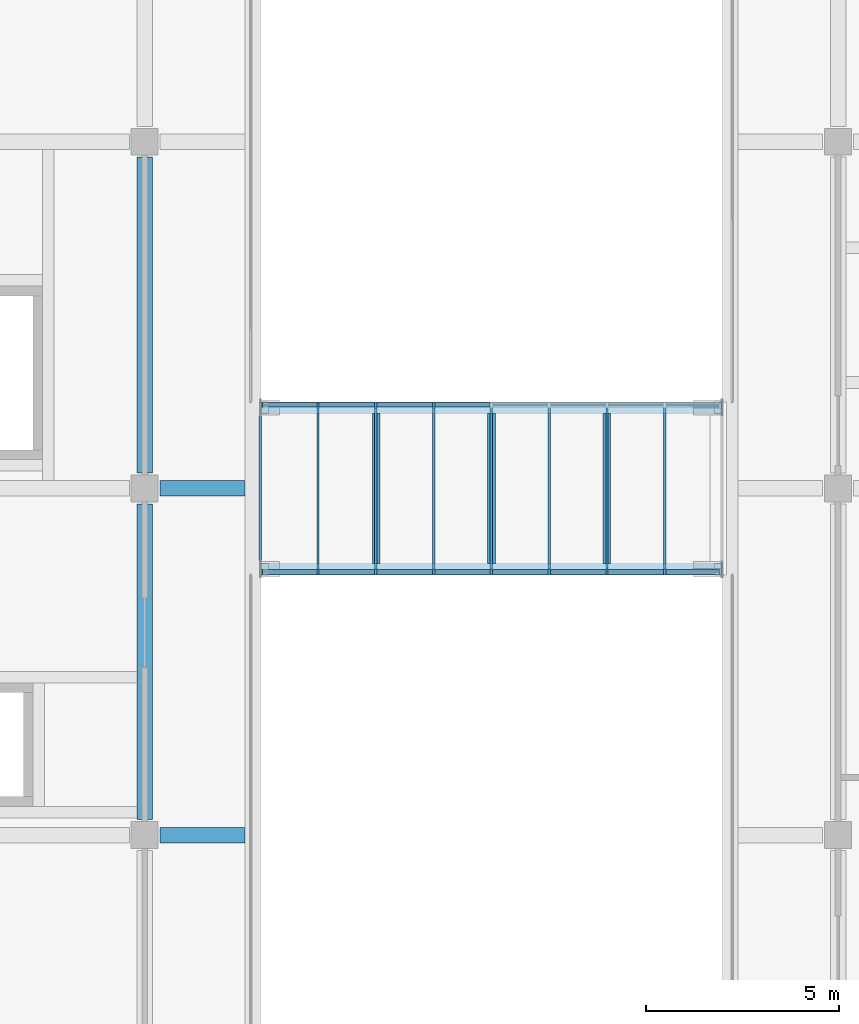
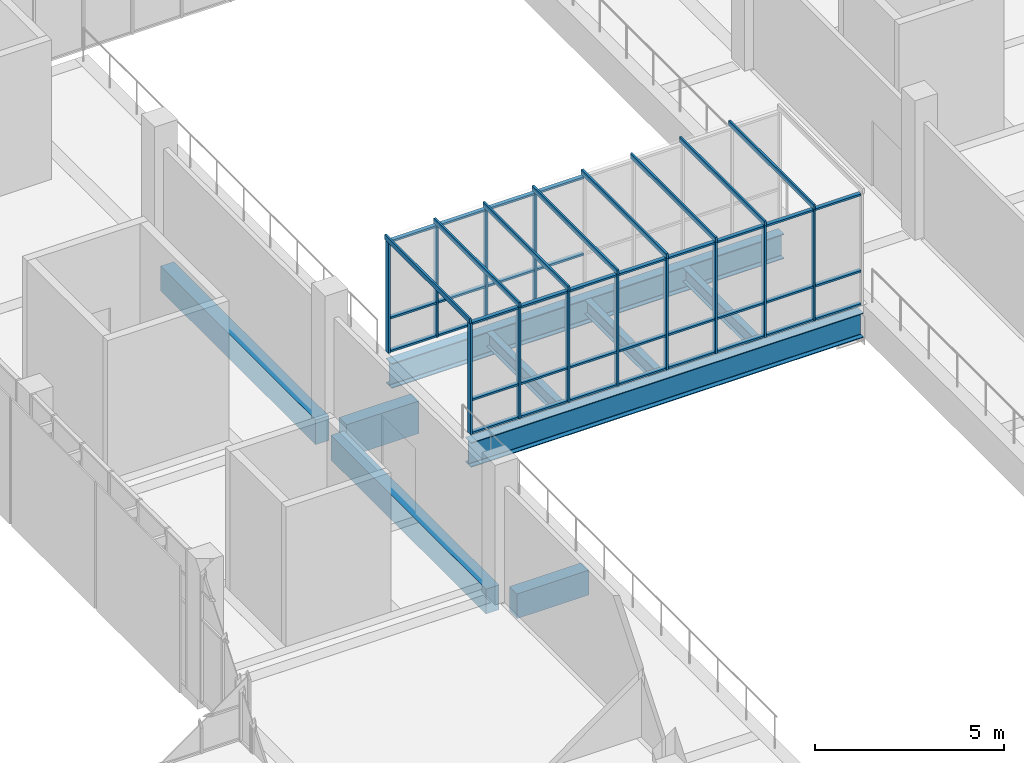
# One storey, part 21 of 106: 56 members, 9 beams, 3 elements without a shape of their own.
"""IFC4 building model written with IfcOpenShell, lengths in metres."""

from ifc_helpers import new_model, si_unit, direction, frame, origin, origin_2d, place, context, subcontext, project, spatial, rectangle, i_section, extrude, material, layer, layer_set, material_profile, profile_set, type_object, element, aggregate, save


model = new_model("IFC4")

# Units and contexts
model_context = context("Model", 3, precision=1e-05, world=origin(), true_north=direction((0.0, 1.0)))
body_context = subcontext(model_context, "Body", "Model", "MODEL_VIEW")
ifc_project = project(units=[si_unit("LENGTHUNIT", "METRE"), si_unit("AREAUNIT", "SQUARE_METRE"), si_unit("VOLUMEUNIT", "CUBIC_METRE"), si_unit("PLANEANGLEUNIT", "RADIAN"), si_unit("MASSUNIT", "GRAM", prefix="KILO")], contexts=[model_context])

# Site, building, storey
site_placement = place(None, origin())
site = spatial("IfcSite", under=ifc_project, at=site_placement, CompositionType="ELEMENT")
building_placement = place(site_placement, origin())
building = spatial("IfcBuilding", under=site, at=building_placement, Name="Guidao Yard Department Store", CompositionType="ELEMENT")
storey_placement = place(building_placement, frame((0.0, 0.0, 10.5)))
storey = spatial("IfcBuildingStorey", under=building, at=storey_placement, Name="L02", CompositionType="ELEMENT", Elevation=10.5)

# Beams
ifc_material_1 = material(Name="Concrete C40", Category="concrete")
ifc_material_profile_1 = material_profile(ifc_material_1, rectangle(XDim=0.39990234375, YDim=1.050048828125, at=origin_2d()), Name="Bridge landing beam 400 x 1050 C40")
ifc_profile_set_1 = profile_set([ifc_material_profile_1], Name="Concrete C40")
beam_type_1 = type_object("IfcBeamType", Name="Bridge landing beam 400 x 1050 C40", PredefinedType="BEAM", material=ifc_profile_set_1)
beam_1_placement = place(storey_placement, frame((81.39990234375, 90.0, -0.52490234375), z_axis=(1.0, 0.0, 0.0), x_axis=(0.0, 1.0, 0.0)))
element("IfcBeam", 1, at=beam_1_placement, inside=storey, type_object=beam_type_1, Name="Beam LB06", PredefinedType="BEAM", context=body_context, shape_type="SweptSolid", body=[
    extrude(rectangle(XDim=0.39990234375, YDim=1.050048828125, at=origin_2d()), origin(), (0.0, 0.0, 1.0), 2.2001953125),
])
ifc_material_2 = material(Name="Concrete C40", Category="concrete")
ifc_material_profile_2 = material_profile(ifc_material_2, rectangle(XDim=0.39990234375, YDim=0.800048828125, at=origin_2d()), Name="Edge beam 400 x 800 C40")
ifc_profile_set_2 = profile_set([ifc_material_profile_2], Name="Concrete C40")
beam_type_2 = type_object("IfcBeamType", Name="Edge beam 400 x 800 C40", PredefinedType="BEAM", material=ifc_profile_set_2)
for number, where, z_axis, x_axis, name in (
    (2, (81.0, 81.39990234375, -0.39990234375), (0.0, 1.0, 0.0), (-1.0, 0.0, 0.0), "Beam EB36"),
    (3, (81.0, 90.39990234375, -0.39990234375), (0.0, 1.0, 0.0), (-1.0, 0.0, 0.0), "Beam EB37"),
):
    element("IfcBeam", number, at=place(storey_placement, frame(where, z_axis=z_axis, x_axis=x_axis)), inside=storey, type_object=beam_type_2, Name=name, PredefinedType="BEAM", context=body_context, shape_type="SweptSolid", body=[
        extrude(rectangle(XDim=0.39990234375, YDim=0.800048828125, at=origin_2d()), origin(), (0.0, 0.0, 1.0), 8.2001953125),
    ])
beam_2_placement = place(storey_placement, frame((81.39990234375, 81.0, -0.39990234375), z_axis=(1.0, 0.0, 0.0), x_axis=(0.0, 1.0, 0.0)))
element("IfcBeam", 4, at=beam_2_placement, inside=storey, type_object=beam_type_2, Name="Beam EB42", PredefinedType="BEAM", context=body_context, shape_type="SweptSolid", body=[
    extrude(rectangle(XDim=0.39990234375, YDim=0.800048828125, at=origin_2d()), origin(), (0.0, 0.0, 1.0), 2.2001953125),
])
ifc_material_3 = material(Name="Steel Q355B", Category="steel")
ifc_material_profile_3 = material_profile(ifc_material_3, i_section(OverallWidth=0.199951171875, OverallDepth=0.449951171875, WebThickness=0.009033203125, FlangeThickness=0.013916015625, FilletRadius=0.012939453125, at=origin_2d()), Name="HN 450x200x9x14")
ifc_profile_set_3 = profile_set([ifc_material_profile_3], Name="Steel Q355B")
beam_type_3 = type_object("IfcBeamType", Name="HN 450x200x9x14", PredefinedType="BEAM", material=ifc_profile_set_3)
for number, where, z_axis, x_axis, name in (
    (5, (87.007568359375, 88.050048828125, -0.47509765625), (0.0, 1.0, 0.0), (-1.0, 0.0, 0.0), "Bridge cross beam BR12-1"),
    (6, (90.0, 88.050048828125, -0.47509765625), (0.0, 1.0, 0.0), (-1.0, 0.0, 0.0), "Bridge cross beam BR12-2"),
    (7, (92.992431640625, 88.050048828125, -0.47509765625), (0.0, 1.0, 0.0), (-1.0, 0.0, 0.0), "Bridge cross beam BR12-3"),
):
    element("IfcBeam", number, at=place(storey_placement, frame(where, z_axis=z_axis, x_axis=x_axis)), inside=storey, type_object=beam_type_3, Name=name, PredefinedType="BEAM", context=body_context, shape_type="SweptSolid", body=[
        extrude(i_section(OverallWidth=0.199951171875, OverallDepth=0.449951171875, WebThickness=0.009033203125, FlangeThickness=0.013916015625, FilletRadius=0.012939453125, at=origin_2d()), origin(), (0.0, 0.0, 1.0), 3.89990234375),
    ])
ifc_material_4 = material(Name="Steel Q355B", Category="steel")
ifc_material_profile_4 = material_profile(ifc_material_4, i_section(OverallWidth=0.300048828125, OverallDepth=0.800048828125, WebThickness=0.013916015625, FlangeThickness=0.02587890625, FilletRadius=0.01806640625, at=origin_2d()), Name="HN 800x300x14x26")
ifc_profile_set_4 = profile_set([ifc_material_profile_4], Name="Steel Q355B")
beam_type_4 = type_object("IfcBeamType", Name="HN 800x300x14x26", PredefinedType="BEAM", material=ifc_profile_set_4)
for number, where, z_axis, x_axis, name in (
    (8, (84.014892578125, 87.89990234375, -0.64990234375), (1.0, 0.0, 0.0), (0.0, 1.0, 0.0), "Bridge girder BR12S"),
    (9, (84.014892578125, 92.10009765625, -0.64990234375), (1.0, 0.0, 0.0), (0.0, 1.0, 0.0), "Bridge girder BR12N"),
):
    element("IfcBeam", number, at=place(storey_placement, frame(where, z_axis=z_axis, x_axis=x_axis)), inside=storey, type_object=beam_type_4, Name=name, PredefinedType="BEAM", context=body_context, shape_type="SweptSolid", body=[
        extrude(i_section(OverallWidth=0.300048828125, OverallDepth=0.800048828125, WebThickness=0.013916015625, FlangeThickness=0.02587890625, FilletRadius=0.01806640625, at=origin_2d()), origin(), (0.0, 0.0, 1.0), 11.97021484375),
    ])

# Curtain wall, members
ifc_material_5 = material(Name="Aluminium and glass", Category="aluminium")
ifc_layer = layer(ifc_material_5, 0.159912109375)
ifc_layer_set = layer_set([ifc_layer], Name="Bridge glazing CW5 1500 module")
curtain_wall_type = type_object("IfcCurtainWallType", Name="Bridge glazing CW5 1500 module", PredefinedType="NOTDEFINED", material=ifc_layer_set)
curtain_wall_1_placement = place(storey_placement, origin())
curtain_wall_1 = element("IfcCurtainWall", 10, at=curtain_wall_1_placement, inside=storey, type_object=curtain_wall_type, Name="Bridge glazing BR12 S", PredefinedType="NOTDEFINED")
ifc_material_6 = material(Name="Aluminium 6063-T5", Category="aluminium")
ifc_material_profile_5 = material_profile(ifc_material_6, rectangle(XDim=0.06005859375, YDim=0.159912109375, at=origin_2d()), Name="Mullion M1 60 x 160 aluminium pressure plate")
ifc_profile_set_5 = profile_set([ifc_material_profile_5], Name="Aluminium 6063-T5")
member_type_1 = type_object("IfcMemberType", Name="Mullion M1 60 x 160 aluminium pressure plate", PredefinedType="MULLION", material=ifc_profile_set_5)
member_1_placement = place(storey_placement, frame((84.030029296875, 87.830078125, 0.0), z_axis=(0.0, 0.0, 1.0), x_axis=(-1.0, 0.0, 0.0)))
member_1 = element("IfcMember", 11, at=member_1_placement, type_object=member_type_1, Name="CW-S-L02-10 mullion 1", PredefinedType="MULLION", context=body_context, shape_type="SweptSolid", body=[
    extrude(rectangle(XDim=0.06005859375, YDim=0.159912109375, at=origin_2d()), origin(), (0.0, 0.0, 1.0), 3.60009765625),
])
member_2_placement = place(storey_placement, frame((85.5, 87.830078125, 0.0), z_axis=(0.0, 0.0, 1.0), x_axis=(-1.0, 0.0, 0.0)))
member_2 = element("IfcMember", 12, at=member_2_placement, type_object=member_type_1, Name="CW-S-L02-10 mullion 2", PredefinedType="MULLION", context=body_context, shape_type="SweptSolid", body=[
    extrude(rectangle(XDim=0.06005859375, YDim=0.159912109375, at=origin_2d()), origin(), (0.0, 0.0, 1.0), 3.60009765625),
])
member_3_placement = place(storey_placement, frame((87.0, 87.830078125, 0.0), z_axis=(0.0, 0.0, 1.0), x_axis=(-1.0, 0.0, 0.0)))
member_3 = element("IfcMember", 13, at=member_3_placement, type_object=member_type_1, Name="CW-S-L02-10 mullion 3", PredefinedType="MULLION", context=body_context, shape_type="SweptSolid", body=[
    extrude(rectangle(XDim=0.06005859375, YDim=0.159912109375, at=origin_2d()), origin(), (0.0, 0.0, 1.0), 3.60009765625),
])
member_4_placement = place(storey_placement, frame((88.5, 87.830078125, 0.0), z_axis=(0.0, 0.0, 1.0), x_axis=(-1.0, 0.0, 0.0)))
member_4 = element("IfcMember", 14, at=member_4_placement, type_object=member_type_1, Name="CW-S-L02-10 mullion 4", PredefinedType="MULLION", context=body_context, shape_type="SweptSolid", body=[
    extrude(rectangle(XDim=0.06005859375, YDim=0.159912109375, at=origin_2d()), origin(), (0.0, 0.0, 1.0), 3.60009765625),
])
member_5_placement = place(storey_placement, frame((90.0, 87.830078125, 0.0), z_axis=(0.0, 0.0, 1.0), x_axis=(-1.0, 0.0, 0.0)))
member_5 = element("IfcMember", 15, at=member_5_placement, type_object=member_type_1, Name="CW-S-L02-10 mullion 5", PredefinedType="MULLION", context=body_context, shape_type="SweptSolid", body=[
    extrude(rectangle(XDim=0.06005859375, YDim=0.159912109375, at=origin_2d()), origin(), (0.0, 0.0, 1.0), 3.60009765625),
])
member_6_placement = place(storey_placement, frame((91.5, 87.830078125, 0.0), z_axis=(0.0, 0.0, 1.0), x_axis=(-1.0, 0.0, 0.0)))
member_6 = element("IfcMember", 16, at=member_6_placement, type_object=member_type_1, Name="CW-S-L02-10 mullion 6", PredefinedType="MULLION", context=body_context, shape_type="SweptSolid", body=[
    extrude(rectangle(XDim=0.06005859375, YDim=0.159912109375, at=origin_2d()), origin(), (0.0, 0.0, 1.0), 3.60009765625),
])
member_7_placement = place(storey_placement, frame((93.0, 87.830078125, 0.0), z_axis=(0.0, 0.0, 1.0), x_axis=(-1.0, 0.0, 0.0)))
member_7 = element("IfcMember", 17, at=member_7_placement, type_object=member_type_1, Name="CW-S-L02-10 mullion 7", PredefinedType="MULLION", context=body_context, shape_type="SweptSolid", body=[
    extrude(rectangle(XDim=0.06005859375, YDim=0.159912109375, at=origin_2d()), origin(), (0.0, 0.0, 1.0), 3.60009765625),
])
member_8_placement = place(storey_placement, frame((94.5, 87.830078125, 0.0), z_axis=(0.0, 0.0, 1.0), x_axis=(-1.0, 0.0, 0.0)))
member_8 = element("IfcMember", 18, at=member_8_placement, type_object=member_type_1, Name="CW-S-L02-10 mullion 8", PredefinedType="MULLION", context=body_context, shape_type="SweptSolid", body=[
    extrude(rectangle(XDim=0.06005859375, YDim=0.159912109375, at=origin_2d()), origin(), (0.0, 0.0, 1.0), 3.60009765625),
])

curtain_wall_2_placement = place(storey_placement, origin())
curtain_wall_2 = element("IfcCurtainWall", 19, at=curtain_wall_2_placement, inside=storey, type_object=curtain_wall_type, Name="Bridge glazing BR12 N", PredefinedType="NOTDEFINED")
member_9_placement = place(storey_placement, frame((84.030029296875, 92.169921875, 0.0), z_axis=(0.0, 0.0, 1.0), x_axis=(1.0, 0.0, 0.0)))
member_9 = element("IfcMember", 20, at=member_9_placement, type_object=member_type_1, Name="CW-N-L02-11 mullion 1", PredefinedType="MULLION", context=body_context, shape_type="SweptSolid", body=[
    extrude(rectangle(XDim=0.06005859375, YDim=0.159912109375, at=origin_2d()), origin(), (0.0, 0.0, 1.0), 3.60009765625),
])
member_10_placement = place(storey_placement, frame((85.5, 92.169921875, 0.0), z_axis=(0.0, 0.0, 1.0), x_axis=(1.0, 0.0, 0.0)))
member_10 = element("IfcMember", 21, at=member_10_placement, type_object=member_type_1, Name="CW-N-L02-11 mullion 2", PredefinedType="MULLION", context=body_context, shape_type="SweptSolid", body=[
    extrude(rectangle(XDim=0.06005859375, YDim=0.159912109375, at=origin_2d()), origin(), (0.0, 0.0, 1.0), 3.60009765625),
])
member_11_placement = place(storey_placement, frame((87.0, 92.169921875, 0.0), z_axis=(0.0, 0.0, 1.0), x_axis=(1.0, 0.0, 0.0)))
member_11 = element("IfcMember", 22, at=member_11_placement, type_object=member_type_1, Name="CW-N-L02-11 mullion 3", PredefinedType="MULLION", context=body_context, shape_type="SweptSolid", body=[
    extrude(rectangle(XDim=0.06005859375, YDim=0.159912109375, at=origin_2d()), origin(), (0.0, 0.0, 1.0), 3.60009765625),
])
member_12_placement = place(storey_placement, frame((88.5, 92.169921875, 0.0), z_axis=(0.0, 0.0, 1.0), x_axis=(1.0, 0.0, 0.0)))
member_12 = element("IfcMember", 23, at=member_12_placement, type_object=member_type_1, Name="CW-N-L02-11 mullion 4", PredefinedType="MULLION", context=body_context, shape_type="SweptSolid", body=[
    extrude(rectangle(XDim=0.06005859375, YDim=0.159912109375, at=origin_2d()), origin(), (0.0, 0.0, 1.0), 3.60009765625),
])

curtain_wall_3_placement = place(storey_placement, origin())
curtain_wall_3 = element("IfcCurtainWall", 24, at=curtain_wall_3_placement, inside=storey, type_object=curtain_wall_type, Name="Bridge roof glazing BR12", PredefinedType="NOTDEFINED")
ifc_material_7 = material(Name="Aluminium 6063-T5", Category="aluminium")
ifc_material_profile_6 = material_profile(ifc_material_7, rectangle(XDim=0.06005859375, YDim=0.159912109375, at=origin_2d()), Name="Roof bar RB1 60 x 160 aluminium")
ifc_profile_set_6 = profile_set([ifc_material_profile_6], Name="Aluminium 6063-T5")
member_type_2 = type_object("IfcMemberType", Name="Roof bar RB1 60 x 160 aluminium", PredefinedType="USERDEFINED", material=ifc_profile_set_6)
member_13_placement = place(storey_placement, frame((84.0, 87.75, 3.679931640625), z_axis=(0.0, 1.0, 0.0), x_axis=(-1.0, 0.0, 0.0)))
member_13 = element("IfcMember", 25, at=member_13_placement, type_object=member_type_2, Name="Bridge roof bar BR12", ObjectType="TRANSOM", PredefinedType="USERDEFINED", context=body_context, shape_type="SweptSolid", body=[
    extrude(rectangle(XDim=0.06005859375, YDim=0.159912109375, at=origin_2d()), origin(), (0.0, 0.0, 1.0), 4.5),
])
member_14_placement = place(storey_placement, frame((85.5, 87.75, 3.679931640625), z_axis=(0.0, 1.0, 0.0), x_axis=(-1.0, 0.0, 0.0)))
member_14 = element("IfcMember", 26, at=member_14_placement, type_object=member_type_2, Name="Bridge roof bar BR12", ObjectType="TRANSOM", PredefinedType="USERDEFINED", context=body_context, shape_type="SweptSolid", body=[
    extrude(rectangle(XDim=0.06005859375, YDim=0.159912109375, at=origin_2d()), origin(), (0.0, 0.0, 1.0), 4.5),
])
member_15_placement = place(storey_placement, frame((87.0, 87.75, 3.679931640625), z_axis=(0.0, 1.0, 0.0), x_axis=(-1.0, 0.0, 0.0)))
member_15 = element("IfcMember", 27, at=member_15_placement, type_object=member_type_2, Name="Bridge roof bar BR12", ObjectType="TRANSOM", PredefinedType="USERDEFINED", context=body_context, shape_type="SweptSolid", body=[
    extrude(rectangle(XDim=0.06005859375, YDim=0.159912109375, at=origin_2d()), origin(), (0.0, 0.0, 1.0), 4.5),
])
member_16_placement = place(storey_placement, frame((88.5, 87.75, 3.679931640625), z_axis=(0.0, 1.0, 0.0), x_axis=(-1.0, 0.0, 0.0)))
member_16 = element("IfcMember", 28, at=member_16_placement, type_object=member_type_2, Name="Bridge roof bar BR12", ObjectType="TRANSOM", PredefinedType="USERDEFINED", context=body_context, shape_type="SweptSolid", body=[
    extrude(rectangle(XDim=0.06005859375, YDim=0.159912109375, at=origin_2d()), origin(), (0.0, 0.0, 1.0), 4.5),
])
member_17_placement = place(storey_placement, frame((90.0, 87.75, 3.679931640625), z_axis=(0.0, 1.0, 0.0), x_axis=(-1.0, 0.0, 0.0)))
member_17 = element("IfcMember", 29, at=member_17_placement, type_object=member_type_2, Name="Bridge roof bar BR12", ObjectType="TRANSOM", PredefinedType="USERDEFINED", context=body_context, shape_type="SweptSolid", body=[
    extrude(rectangle(XDim=0.06005859375, YDim=0.159912109375, at=origin_2d()), origin(), (0.0, 0.0, 1.0), 4.5),
])
member_18_placement = place(storey_placement, frame((91.5, 87.75, 3.679931640625), z_axis=(0.0, 1.0, 0.0), x_axis=(-1.0, 0.0, 0.0)))
member_18 = element("IfcMember", 30, at=member_18_placement, type_object=member_type_2, Name="Bridge roof bar BR12", ObjectType="TRANSOM", PredefinedType="USERDEFINED", context=body_context, shape_type="SweptSolid", body=[
    extrude(rectangle(XDim=0.06005859375, YDim=0.159912109375, at=origin_2d()), origin(), (0.0, 0.0, 1.0), 4.5),
])
member_19_placement = place(storey_placement, frame((93.0, 87.75, 3.679931640625), z_axis=(0.0, 1.0, 0.0), x_axis=(-1.0, 0.0, 0.0)))
member_19 = element("IfcMember", 31, at=member_19_placement, type_object=member_type_2, Name="Bridge roof bar BR12", ObjectType="TRANSOM", PredefinedType="USERDEFINED", context=body_context, shape_type="SweptSolid", body=[
    extrude(rectangle(XDim=0.06005859375, YDim=0.159912109375, at=origin_2d()), origin(), (0.0, 0.0, 1.0), 4.5),
])
member_20_placement = place(storey_placement, frame((94.5, 87.75, 3.679931640625), z_axis=(0.0, 1.0, 0.0), x_axis=(-1.0, 0.0, 0.0)))
member_20 = element("IfcMember", 32, at=member_20_placement, type_object=member_type_2, Name="Bridge roof bar BR12", ObjectType="TRANSOM", PredefinedType="USERDEFINED", context=body_context, shape_type="SweptSolid", body=[
    extrude(rectangle(XDim=0.06005859375, YDim=0.159912109375, at=origin_2d()), origin(), (0.0, 0.0, 1.0), 4.5),
])
aggregate(curtain_wall_3, [member_13, member_14, member_15, member_16, member_17, member_18, member_19, member_20])

# Member
ifc_material_8 = material(Name="Aluminium 6063-T5", Category="aluminium")
ifc_material_profile_7 = material_profile(ifc_material_8, rectangle(XDim=0.1201171875, YDim=0.06005859375, at=origin_2d()), Name="Transom T1 60 x 120 aluminium pressure plate")
ifc_profile_set_7 = profile_set([ifc_material_profile_7], Name="Aluminium 6063-T5")
member_type_3 = type_object("IfcMemberType", Name="Transom T1 60 x 120 aluminium pressure plate", PredefinedType="USERDEFINED", material=ifc_profile_set_7)
member_21_placement = place(storey_placement, frame((85.469970703125, 87.830078125, 0.030029296875), z_axis=(-1.0, 0.0, 0.0), x_axis=(0.0, -1.0, 0.0)))
member_21 = element("IfcMember", 33, at=member_21_placement, type_object=member_type_3, Name="CW-S-L02-10 transom 1.1", ObjectType="TRANSOM", PredefinedType="USERDEFINED", context=body_context, shape_type="SweptSolid", body=[
    extrude(rectangle(XDim=0.1201171875, YDim=0.06005859375, at=origin_2d()), origin(), (0.0, 0.0, 1.0), 1.409912109375),
])

member_22_placement = place(storey_placement, frame((85.469970703125, 87.830078125, 1.10009765625), z_axis=(-1.0, 0.0, 0.0), x_axis=(0.0, -1.0, 0.0)))
member_22 = element("IfcMember", 34, at=member_22_placement, type_object=member_type_3, Name="CW-S-L02-10 transom 1.2", ObjectType="TRANSOM", PredefinedType="USERDEFINED", context=body_context, shape_type="SweptSolid", body=[
    extrude(rectangle(XDim=0.1201171875, YDim=0.06005859375, at=origin_2d()), origin(), (0.0, 0.0, 1.0), 1.409912109375),
])

member_23_placement = place(storey_placement, frame((85.469970703125, 87.830078125, 3.570068359375), z_axis=(-1.0, 0.0, 0.0), x_axis=(0.0, -1.0, 0.0)))
member_23 = element("IfcMember", 35, at=member_23_placement, type_object=member_type_3, Name="CW-S-L02-10 transom 1.3", ObjectType="TRANSOM", PredefinedType="USERDEFINED", context=body_context, shape_type="SweptSolid", body=[
    extrude(rectangle(XDim=0.1201171875, YDim=0.06005859375, at=origin_2d()), origin(), (0.0, 0.0, 1.0), 1.409912109375),
])

member_24_placement = place(storey_placement, frame((86.969970703125, 87.830078125, 0.030029296875), z_axis=(-1.0, 0.0, 0.0), x_axis=(0.0, -1.0, 0.0)))
member_24 = element("IfcMember", 36, at=member_24_placement, type_object=member_type_3, Name="CW-S-L02-10 transom 2.1", ObjectType="TRANSOM", PredefinedType="USERDEFINED", context=body_context, shape_type="SweptSolid", body=[
    extrude(rectangle(XDim=0.1201171875, YDim=0.06005859375, at=origin_2d()), origin(), (0.0, 0.0, 1.0), 1.43994140625),
])

member_25_placement = place(storey_placement, frame((86.969970703125, 87.830078125, 1.10009765625), z_axis=(-1.0, 0.0, 0.0), x_axis=(0.0, -1.0, 0.0)))
member_25 = element("IfcMember", 37, at=member_25_placement, type_object=member_type_3, Name="CW-S-L02-10 transom 2.2", ObjectType="TRANSOM", PredefinedType="USERDEFINED", context=body_context, shape_type="SweptSolid", body=[
    extrude(rectangle(XDim=0.1201171875, YDim=0.06005859375, at=origin_2d()), origin(), (0.0, 0.0, 1.0), 1.43994140625),
])

member_26_placement = place(storey_placement, frame((86.969970703125, 87.830078125, 3.570068359375), z_axis=(-1.0, 0.0, 0.0), x_axis=(0.0, -1.0, 0.0)))
member_26 = element("IfcMember", 38, at=member_26_placement, type_object=member_type_3, Name="CW-S-L02-10 transom 2.3", ObjectType="TRANSOM", PredefinedType="USERDEFINED", context=body_context, shape_type="SweptSolid", body=[
    extrude(rectangle(XDim=0.1201171875, YDim=0.06005859375, at=origin_2d()), origin(), (0.0, 0.0, 1.0), 1.43994140625),
])

member_27_placement = place(storey_placement, frame((88.469970703125, 87.830078125, 0.030029296875), z_axis=(-1.0, 0.0, 0.0), x_axis=(0.0, -1.0, 0.0)))
member_27 = element("IfcMember", 39, at=member_27_placement, type_object=member_type_3, Name="CW-S-L02-10 transom 3.1", ObjectType="TRANSOM", PredefinedType="USERDEFINED", context=body_context, shape_type="SweptSolid", body=[
    extrude(rectangle(XDim=0.1201171875, YDim=0.06005859375, at=origin_2d()), origin(), (0.0, 0.0, 1.0), 1.43994140625),
])

member_28_placement = place(storey_placement, frame((88.469970703125, 87.830078125, 1.10009765625), z_axis=(-1.0, 0.0, 0.0), x_axis=(0.0, -1.0, 0.0)))
member_28 = element("IfcMember", 40, at=member_28_placement, type_object=member_type_3, Name="CW-S-L02-10 transom 3.2", ObjectType="TRANSOM", PredefinedType="USERDEFINED", context=body_context, shape_type="SweptSolid", body=[
    extrude(rectangle(XDim=0.1201171875, YDim=0.06005859375, at=origin_2d()), origin(), (0.0, 0.0, 1.0), 1.43994140625),
])

member_29_placement = place(storey_placement, frame((88.469970703125, 87.830078125, 3.570068359375), z_axis=(-1.0, 0.0, 0.0), x_axis=(0.0, -1.0, 0.0)))
member_29 = element("IfcMember", 41, at=member_29_placement, type_object=member_type_3, Name="CW-S-L02-10 transom 3.3", ObjectType="TRANSOM", PredefinedType="USERDEFINED", context=body_context, shape_type="SweptSolid", body=[
    extrude(rectangle(XDim=0.1201171875, YDim=0.06005859375, at=origin_2d()), origin(), (0.0, 0.0, 1.0), 1.43994140625),
])

member_30_placement = place(storey_placement, frame((89.969970703125, 87.830078125, 0.030029296875), z_axis=(-1.0, 0.0, 0.0), x_axis=(0.0, -1.0, 0.0)))
member_30 = element("IfcMember", 42, at=member_30_placement, type_object=member_type_3, Name="CW-S-L02-10 transom 4.1", ObjectType="TRANSOM", PredefinedType="USERDEFINED", context=body_context, shape_type="SweptSolid", body=[
    extrude(rectangle(XDim=0.1201171875, YDim=0.06005859375, at=origin_2d()), origin(), (0.0, 0.0, 1.0), 1.43994140625),
])

member_31_placement = place(storey_placement, frame((89.969970703125, 87.830078125, 1.10009765625), z_axis=(-1.0, 0.0, 0.0), x_axis=(0.0, -1.0, 0.0)))
member_31 = element("IfcMember", 43, at=member_31_placement, type_object=member_type_3, Name="CW-S-L02-10 transom 4.2", ObjectType="TRANSOM", PredefinedType="USERDEFINED", context=body_context, shape_type="SweptSolid", body=[
    extrude(rectangle(XDim=0.1201171875, YDim=0.06005859375, at=origin_2d()), origin(), (0.0, 0.0, 1.0), 1.43994140625),
])

member_32_placement = place(storey_placement, frame((89.969970703125, 87.830078125, 3.570068359375), z_axis=(-1.0, 0.0, 0.0), x_axis=(0.0, -1.0, 0.0)))
member_32 = element("IfcMember", 44, at=member_32_placement, type_object=member_type_3, Name="CW-S-L02-10 transom 4.3", ObjectType="TRANSOM", PredefinedType="USERDEFINED", context=body_context, shape_type="SweptSolid", body=[
    extrude(rectangle(XDim=0.1201171875, YDim=0.06005859375, at=origin_2d()), origin(), (0.0, 0.0, 1.0), 1.43994140625),
])

member_33_placement = place(storey_placement, frame((91.469970703125, 87.830078125, 0.030029296875), z_axis=(-1.0, 0.0, 0.0), x_axis=(0.0, -1.0, 0.0)))
member_33 = element("IfcMember", 45, at=member_33_placement, type_object=member_type_3, Name="CW-S-L02-10 transom 5.1", ObjectType="TRANSOM", PredefinedType="USERDEFINED", context=body_context, shape_type="SweptSolid", body=[
    extrude(rectangle(XDim=0.1201171875, YDim=0.06005859375, at=origin_2d()), origin(), (0.0, 0.0, 1.0), 1.43994140625),
])

member_34_placement = place(storey_placement, frame((91.469970703125, 87.830078125, 1.10009765625), z_axis=(-1.0, 0.0, 0.0), x_axis=(0.0, -1.0, 0.0)))
member_34 = element("IfcMember", 46, at=member_34_placement, type_object=member_type_3, Name="CW-S-L02-10 transom 5.2", ObjectType="TRANSOM", PredefinedType="USERDEFINED", context=body_context, shape_type="SweptSolid", body=[
    extrude(rectangle(XDim=0.1201171875, YDim=0.06005859375, at=origin_2d()), origin(), (0.0, 0.0, 1.0), 1.43994140625),
])

member_35_placement = place(storey_placement, frame((91.469970703125, 87.830078125, 3.570068359375), z_axis=(-1.0, 0.0, 0.0), x_axis=(0.0, -1.0, 0.0)))
member_35 = element("IfcMember", 47, at=member_35_placement, type_object=member_type_3, Name="CW-S-L02-10 transom 5.3", ObjectType="TRANSOM", PredefinedType="USERDEFINED", context=body_context, shape_type="SweptSolid", body=[
    extrude(rectangle(XDim=0.1201171875, YDim=0.06005859375, at=origin_2d()), origin(), (0.0, 0.0, 1.0), 1.43994140625),
])

member_36_placement = place(storey_placement, frame((92.969970703125, 87.830078125, 0.030029296875), z_axis=(-1.0, 0.0, 0.0), x_axis=(0.0, -1.0, 0.0)))
member_36 = element("IfcMember", 48, at=member_36_placement, type_object=member_type_3, Name="CW-S-L02-10 transom 6.1", ObjectType="TRANSOM", PredefinedType="USERDEFINED", context=body_context, shape_type="SweptSolid", body=[
    extrude(rectangle(XDim=0.1201171875, YDim=0.06005859375, at=origin_2d()), origin(), (0.0, 0.0, 1.0), 1.43994140625),
])

member_37_placement = place(storey_placement, frame((92.969970703125, 87.830078125, 1.10009765625), z_axis=(-1.0, 0.0, 0.0), x_axis=(0.0, -1.0, 0.0)))
member_37 = element("IfcMember", 49, at=member_37_placement, type_object=member_type_3, Name="CW-S-L02-10 transom 6.2", ObjectType="TRANSOM", PredefinedType="USERDEFINED", context=body_context, shape_type="SweptSolid", body=[
    extrude(rectangle(XDim=0.1201171875, YDim=0.06005859375, at=origin_2d()), origin(), (0.0, 0.0, 1.0), 1.43994140625),
])

member_38_placement = place(storey_placement, frame((92.969970703125, 87.830078125, 3.570068359375), z_axis=(-1.0, 0.0, 0.0), x_axis=(0.0, -1.0, 0.0)))
member_38 = element("IfcMember", 50, at=member_38_placement, type_object=member_type_3, Name="CW-S-L02-10 transom 6.3", ObjectType="TRANSOM", PredefinedType="USERDEFINED", context=body_context, shape_type="SweptSolid", body=[
    extrude(rectangle(XDim=0.1201171875, YDim=0.06005859375, at=origin_2d()), origin(), (0.0, 0.0, 1.0), 1.43994140625),
])

member_39_placement = place(storey_placement, frame((94.469970703125, 87.830078125, 0.030029296875), z_axis=(-1.0, 0.0, 0.0), x_axis=(0.0, -1.0, 0.0)))
member_39 = element("IfcMember", 51, at=member_39_placement, type_object=member_type_3, Name="CW-S-L02-10 transom 7.1", ObjectType="TRANSOM", PredefinedType="USERDEFINED", context=body_context, shape_type="SweptSolid", body=[
    extrude(rectangle(XDim=0.1201171875, YDim=0.06005859375, at=origin_2d()), origin(), (0.0, 0.0, 1.0), 1.43994140625),
])

member_40_placement = place(storey_placement, frame((94.469970703125, 87.830078125, 1.10009765625), z_axis=(-1.0, 0.0, 0.0), x_axis=(0.0, -1.0, 0.0)))
member_40 = element("IfcMember", 52, at=member_40_placement, type_object=member_type_3, Name="CW-S-L02-10 transom 7.2", ObjectType="TRANSOM", PredefinedType="USERDEFINED", context=body_context, shape_type="SweptSolid", body=[
    extrude(rectangle(XDim=0.1201171875, YDim=0.06005859375, at=origin_2d()), origin(), (0.0, 0.0, 1.0), 1.43994140625),
])

member_41_placement = place(storey_placement, frame((94.469970703125, 87.830078125, 3.570068359375), z_axis=(-1.0, 0.0, 0.0), x_axis=(0.0, -1.0, 0.0)))
member_41 = element("IfcMember", 53, at=member_41_placement, type_object=member_type_3, Name="CW-S-L02-10 transom 7.3", ObjectType="TRANSOM", PredefinedType="USERDEFINED", context=body_context, shape_type="SweptSolid", body=[
    extrude(rectangle(XDim=0.1201171875, YDim=0.06005859375, at=origin_2d()), origin(), (0.0, 0.0, 1.0), 1.43994140625),
])

member_42_placement = place(storey_placement, frame((95.925048828125, 87.830078125, 0.030029296875), z_axis=(-1.0, 0.0, 0.0), x_axis=(0.0, -1.0, 0.0)))
member_42 = element("IfcMember", 54, at=member_42_placement, type_object=member_type_3, Name="CW-S-L02-10 transom 8.1", ObjectType="TRANSOM", PredefinedType="USERDEFINED", context=body_context, shape_type="SweptSolid", body=[
    extrude(rectangle(XDim=0.1201171875, YDim=0.06005859375, at=origin_2d()), origin(), (0.0, 0.0, 1.0), 1.39501953125),
])

member_43_placement = place(storey_placement, frame((95.925048828125, 87.830078125, 1.10009765625), z_axis=(-1.0, 0.0, 0.0), x_axis=(0.0, -1.0, 0.0)))
member_43 = element("IfcMember", 55, at=member_43_placement, type_object=member_type_3, Name="CW-S-L02-10 transom 8.2", ObjectType="TRANSOM", PredefinedType="USERDEFINED", context=body_context, shape_type="SweptSolid", body=[
    extrude(rectangle(XDim=0.1201171875, YDim=0.06005859375, at=origin_2d()), origin(), (0.0, 0.0, 1.0), 1.39501953125),
])

member_44_placement = place(storey_placement, frame((95.925048828125, 87.830078125, 3.570068359375), z_axis=(-1.0, 0.0, 0.0), x_axis=(0.0, -1.0, 0.0)))
member_44 = element("IfcMember", 56, at=member_44_placement, type_object=member_type_3, Name="CW-S-L02-10 transom 8.3", ObjectType="TRANSOM", PredefinedType="USERDEFINED", context=body_context, shape_type="SweptSolid", body=[
    extrude(rectangle(XDim=0.1201171875, YDim=0.06005859375, at=origin_2d()), origin(), (0.0, 0.0, 1.0), 1.39501953125),
])

aggregate(curtain_wall_1, [member_1, member_2, member_3, member_4, member_5, member_6, member_7, member_8, member_21, member_22, member_23, member_24, member_25, member_26, member_27, member_28, member_29, member_30, member_31, member_32, member_33, member_34, member_35, member_36, member_37, member_38, member_39, member_40, member_41, member_42, member_43, member_44])

member_45_placement = place(storey_placement, frame((84.06005859375, 92.169921875, 0.030029296875), z_axis=(1.0, 0.0, 0.0), x_axis=(0.0, 1.0, 0.0)))
member_45 = element("IfcMember", 57, at=member_45_placement, type_object=member_type_3, Name="CW-N-L02-11 transom 1.1", ObjectType="TRANSOM", PredefinedType="USERDEFINED", context=body_context, shape_type="SweptSolid", body=[
    extrude(rectangle(XDim=0.1201171875, YDim=0.06005859375, at=origin_2d()), origin(), (0.0, 0.0, 1.0), 1.409912109375),
])

member_46_placement = place(storey_placement, frame((84.06005859375, 92.169921875, 1.10009765625), z_axis=(1.0, 0.0, 0.0), x_axis=(0.0, 1.0, 0.0)))
member_46 = element("IfcMember", 58, at=member_46_placement, type_object=member_type_3, Name="CW-N-L02-11 transom 1.2", ObjectType="TRANSOM", PredefinedType="USERDEFINED", context=body_context, shape_type="SweptSolid", body=[
    extrude(rectangle(XDim=0.1201171875, YDim=0.06005859375, at=origin_2d()), origin(), (0.0, 0.0, 1.0), 1.409912109375),
])

member_47_placement = place(storey_placement, frame((84.06005859375, 92.169921875, 3.570068359375), z_axis=(1.0, 0.0, 0.0), x_axis=(0.0, 1.0, 0.0)))
member_47 = element("IfcMember", 59, at=member_47_placement, type_object=member_type_3, Name="CW-N-L02-11 transom 1.3", ObjectType="TRANSOM", PredefinedType="USERDEFINED", context=body_context, shape_type="SweptSolid", body=[
    extrude(rectangle(XDim=0.1201171875, YDim=0.06005859375, at=origin_2d()), origin(), (0.0, 0.0, 1.0), 1.409912109375),
])

member_48_placement = place(storey_placement, frame((85.530029296875, 92.169921875, 0.030029296875), z_axis=(1.0, 0.0, 0.0), x_axis=(0.0, 1.0, 0.0)))
member_48 = element("IfcMember", 60, at=member_48_placement, type_object=member_type_3, Name="CW-N-L02-11 transom 2.1", ObjectType="TRANSOM", PredefinedType="USERDEFINED", context=body_context, shape_type="SweptSolid", body=[
    extrude(rectangle(XDim=0.1201171875, YDim=0.06005859375, at=origin_2d()), origin(), (0.0, 0.0, 1.0), 1.43994140625),
])

member_49_placement = place(storey_placement, frame((85.530029296875, 92.169921875, 1.10009765625), z_axis=(1.0, 0.0, 0.0), x_axis=(0.0, 1.0, 0.0)))
member_49 = element("IfcMember", 61, at=member_49_placement, type_object=member_type_3, Name="CW-N-L02-11 transom 2.2", ObjectType="TRANSOM", PredefinedType="USERDEFINED", context=body_context, shape_type="SweptSolid", body=[
    extrude(rectangle(XDim=0.1201171875, YDim=0.06005859375, at=origin_2d()), origin(), (0.0, 0.0, 1.0), 1.43994140625),
])

member_50_placement = place(storey_placement, frame((85.530029296875, 92.169921875, 3.570068359375), z_axis=(1.0, 0.0, 0.0), x_axis=(0.0, 1.0, 0.0)))
member_50 = element("IfcMember", 62, at=member_50_placement, type_object=member_type_3, Name="CW-N-L02-11 transom 2.3", ObjectType="TRANSOM", PredefinedType="USERDEFINED", context=body_context, shape_type="SweptSolid", body=[
    extrude(rectangle(XDim=0.1201171875, YDim=0.06005859375, at=origin_2d()), origin(), (0.0, 0.0, 1.0), 1.43994140625),
])

member_51_placement = place(storey_placement, frame((87.030029296875, 92.169921875, 0.030029296875), z_axis=(1.0, 0.0, 0.0), x_axis=(0.0, 1.0, 0.0)))
member_51 = element("IfcMember", 63, at=member_51_placement, type_object=member_type_3, Name="CW-N-L02-11 transom 3.1", ObjectType="TRANSOM", PredefinedType="USERDEFINED", context=body_context, shape_type="SweptSolid", body=[
    extrude(rectangle(XDim=0.1201171875, YDim=0.06005859375, at=origin_2d()), origin(), (0.0, 0.0, 1.0), 1.43994140625),
])

member_52_placement = place(storey_placement, frame((87.030029296875, 92.169921875, 1.10009765625), z_axis=(1.0, 0.0, 0.0), x_axis=(0.0, 1.0, 0.0)))
member_52 = element("IfcMember", 64, at=member_52_placement, type_object=member_type_3, Name="CW-N-L02-11 transom 3.2", ObjectType="TRANSOM", PredefinedType="USERDEFINED", context=body_context, shape_type="SweptSolid", body=[
    extrude(rectangle(XDim=0.1201171875, YDim=0.06005859375, at=origin_2d()), origin(), (0.0, 0.0, 1.0), 1.43994140625),
])

member_53_placement = place(storey_placement, frame((87.030029296875, 92.169921875, 3.570068359375), z_axis=(1.0, 0.0, 0.0), x_axis=(0.0, 1.0, 0.0)))
member_53 = element("IfcMember", 65, at=member_53_placement, type_object=member_type_3, Name="CW-N-L02-11 transom 3.3", ObjectType="TRANSOM", PredefinedType="USERDEFINED", context=body_context, shape_type="SweptSolid", body=[
    extrude(rectangle(XDim=0.1201171875, YDim=0.06005859375, at=origin_2d()), origin(), (0.0, 0.0, 1.0), 1.43994140625),
])

member_54_placement = place(storey_placement, frame((88.530029296875, 92.169921875, 0.030029296875), z_axis=(1.0, 0.0, 0.0), x_axis=(0.0, 1.0, 0.0)))
member_54 = element("IfcMember", 66, at=member_54_placement, type_object=member_type_3, Name="CW-N-L02-11 transom 4.1", ObjectType="TRANSOM", PredefinedType="USERDEFINED", context=body_context, shape_type="SweptSolid", body=[
    extrude(rectangle(XDim=0.1201171875, YDim=0.06005859375, at=origin_2d()), origin(), (0.0, 0.0, 1.0), 1.43994140625),
])

member_55_placement = place(storey_placement, frame((88.530029296875, 92.169921875, 1.10009765625), z_axis=(1.0, 0.0, 0.0), x_axis=(0.0, 1.0, 0.0)))
member_55 = element("IfcMember", 67, at=member_55_placement, type_object=member_type_3, Name="CW-N-L02-11 transom 4.2", ObjectType="TRANSOM", PredefinedType="USERDEFINED", context=body_context, shape_type="SweptSolid", body=[
    extrude(rectangle(XDim=0.1201171875, YDim=0.06005859375, at=origin_2d()), origin(), (0.0, 0.0, 1.0), 1.43994140625),
])

member_56_placement = place(storey_placement, frame((88.530029296875, 92.169921875, 3.570068359375), z_axis=(1.0, 0.0, 0.0), x_axis=(0.0, 1.0, 0.0)))
member_56 = element("IfcMember", 68, at=member_56_placement, type_object=member_type_3, Name="CW-N-L02-11 transom 4.3", ObjectType="TRANSOM", PredefinedType="USERDEFINED", context=body_context, shape_type="SweptSolid", body=[
    extrude(rectangle(XDim=0.1201171875, YDim=0.06005859375, at=origin_2d()), origin(), (0.0, 0.0, 1.0), 1.43994140625),
])

aggregate(curtain_wall_2, [member_9, member_10, member_11, member_12, member_45, member_46, member_47, member_48, member_49, member_50, member_51, member_52, member_53, member_54, member_55, member_56])

save(model, "model.ifc")
